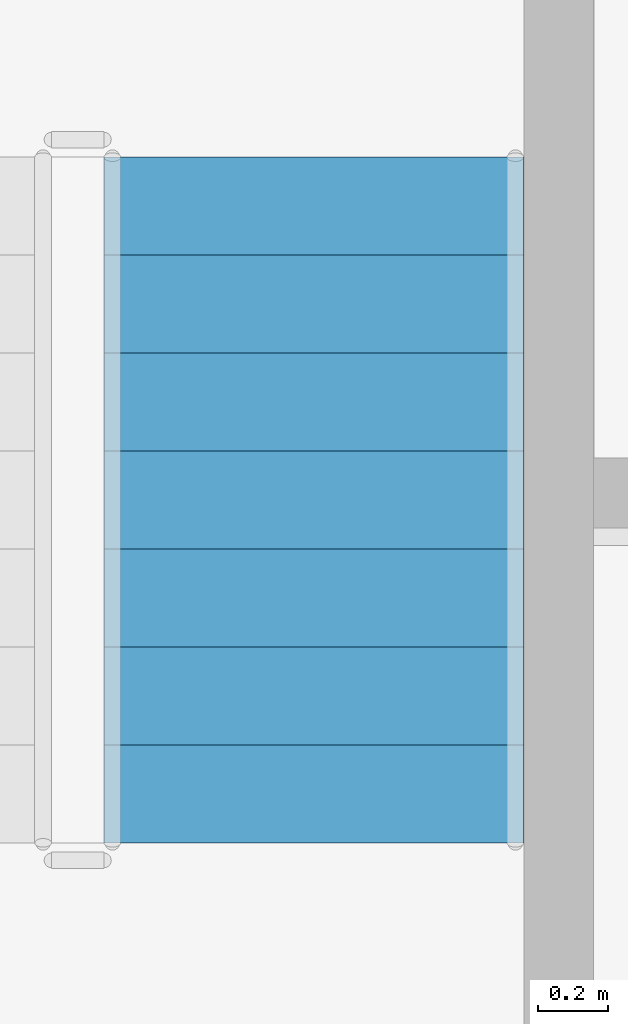
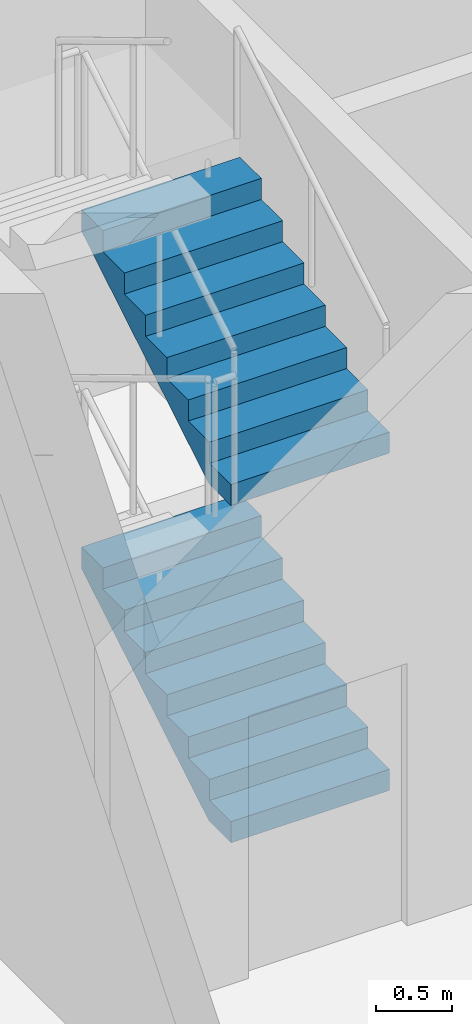
# One storey, part 56 of 101: 2 stair flights, 1 element without a shape of its own.
"""IFC4 building model written with IfcOpenShell, lengths in metres."""

from ifc_helpers import new_model, si_unit, direction, frame, origin, place, context, subcontext, project, spatial, triangles, material, type_object, element, aggregate, save


model = new_model("IFC4")

# Units and contexts
model_context = context("Model", 3, precision=1e-05, world=origin(), true_north=direction((0.0, 1.0)))
body_context = subcontext(model_context, "Body", "Model", "MODEL_VIEW")
ifc_project = project(units=[si_unit("LENGTHUNIT", "METRE"), si_unit("AREAUNIT", "SQUARE_METRE"), si_unit("VOLUMEUNIT", "CUBIC_METRE"), si_unit("PLANEANGLEUNIT", "RADIAN"), si_unit("MASSUNIT", "GRAM", prefix="KILO")], contexts=[model_context])

# Site, building, storey
site_placement = place(None, origin())
site = spatial("IfcSite", under=ifc_project, at=site_placement, CompositionType="ELEMENT")
building_placement = place(site_placement, origin())
building = spatial("IfcBuilding", under=site, at=building_placement, Name="Magnolia Steps Interchange", CompositionType="ELEMENT")
storey_placement = place(building_placement, frame((0.0, 0.0, -5.39990234375)))
storey = spatial("IfcBuildingStorey", under=building, at=storey_placement, Name="B1", CompositionType="ELEMENT", Elevation=-5.39990234375)

# Stair, stair flights
ifc_material_1 = material(Name="Concrete C40", Category="concrete")
stair_type = type_object("IfcStairType", Name="Exit stair 1200", PredefinedType="HALF_TURN_STAIR", material=ifc_material_1)
stair_placement = place(storey_placement, origin())
stair = element("IfcStair", 1, at=stair_placement, inside=storey, type_object=stair_type, Name="B1 Stair 21", PredefinedType="HALF_TURN_STAIR")
ifc_material_2 = material(Name="Concrete C40", Category="concrete")
stair_flight_type = type_object("IfcStairFlightType", Name="Exit stair flight", PredefinedType="STRAIGHT", material=ifc_material_2)
stair_flight_1_placement = place(storey_placement, frame((131.25, 38.699951171875, 0.0), z_axis=(0.0, 0.0, 1.0), x_axis=(0.0, 1.0, 0.0)))
stair_flight_1 = element("IfcStairFlight", 2, at=stair_flight_1_placement, type_object=stair_flight_type, Name="Stair 21 flight 1", NumberOfRisers=8, NumberOfTreads=7, PredefinedType="STRAIGHT", RiserHeight=0.16875, TreadLength=0.28, context=body_context, shape_type="Tessellation", body=[
    triangles([(0.0, -0.5999755859375, 0.0), (0.29052734375, -0.5999755859375, 0.0), (1.9599609375, -0.5999755859375, 1.00634765625), (1.9599609375, -0.5999755859375, 1.18115234375), (1.679931640625, -0.5999755859375, 1.18115234375), (1.679931640625, -0.5999755859375, 1.012451171875), (1.39990234375, -0.5999755859375, 1.012451171875), (1.39990234375, -0.5999755859375, 0.84375), (1.1201171875, -0.5999755859375, 0.84375), (1.1201171875, -0.5999755859375, 0.675048828125), (0.840087890625, -0.5999755859375, 0.675048828125), (0.840087890625, -0.5999755859375, 0.50634765625), (0.56005859375, -0.5999755859375, 0.50634765625), (0.56005859375, -0.5999755859375, 0.33740234375), (0.280029296875, -0.5999755859375, 0.33740234375), (0.280029296875, -0.5999755859375, 0.168701171875), (0.0, -0.5999755859375, 0.168701171875), (0.0, 0.5999755859375, 0.0), (0.29052734375, 0.5999755859375, 0.0), (1.9599609375, 0.5999755859375, 1.00634765625), (1.9599609375, 0.5999755859375, 1.18115234375), (1.679931640625, 0.5999755859375, 1.18115234375), (1.679931640625, 0.5999755859375, 1.012451171875), (1.39990234375, 0.5999755859375, 1.012451171875), (1.39990234375, 0.5999755859375, 0.84375), (1.1201171875, 0.5999755859375, 0.84375), (1.1201171875, 0.5999755859375, 0.675048828125), (0.840087890625, 0.5999755859375, 0.675048828125), (0.840087890625, 0.5999755859375, 0.50634765625), (0.56005859375, 0.5999755859375, 0.50634765625), (0.56005859375, 0.5999755859375, 0.33740234375), (0.280029296875, 0.5999755859375, 0.33740234375), (0.280029296875, 0.5999755859375, 0.168701171875), (0.0, 0.5999755859375, 0.168701171875), (0.0, 0.0, 0.0), (0.0, 0.0, 0.04217529296875), (0.0, 0.0, 0.0843505859375), (0.0, 0.0, 0.12652587890625), (0.0, 0.0, 0.168701171875), (0.0, -0.05, 0.0), (0.0, -0.05, 0.168701171875), (0.0, 0.05, 0.0), (0.0, 0.05, 0.168701171875), (0.046671549479166664, 0.0, 0.168701171875), (0.09334309895833333, 0.0, 0.168701171875), (0.1400146484375, 0.0, 0.168701171875), (0.18668619791666666, 0.0, 0.168701171875), (0.23335774739583334, 0.0, 0.168701171875), (0.280029296875, 0.0, 0.168701171875), (0.280029296875, -0.05, 0.168701171875), (0.280029296875, 0.05, 0.168701171875), (0.280029296875, 0.0, 0.21087646484375), (0.280029296875, 0.0, 0.2530517578125), (0.280029296875, 0.0, 0.29522705078125), (0.280029296875, 0.0, 0.33740234375), (0.280029296875, -0.05, 0.33740234375), (0.280029296875, 0.05, 0.33740234375), (0.3267008463541667, 0.0, 0.33740234375), (0.3733723958333333, 0.0, 0.33740234375), (0.4200439453125, 0.0, 0.33740234375), (0.46671549479166663, 0.0, 0.33740234375), (0.5133870442708334, 0.0, 0.33740234375), (0.56005859375, 0.0, 0.33740234375), (0.56005859375, -0.05, 0.33740234375), (0.56005859375, 0.05, 0.33740234375), (0.56005859375, 0.0, 0.379638671875), (0.56005859375, 0.0, 0.421875), (0.56005859375, 0.0, 0.464111328125), (0.56005859375, 0.0, 0.50634765625), (0.56005859375, -0.05, 0.50634765625), (0.56005859375, 0.05, 0.50634765625), (0.6067301432291666, 0.0, 0.50634765625), (0.6534016927083334, 0.0, 0.50634765625), (0.7000732421875, 0.0, 0.50634765625), (0.7467447916666666, 0.0, 0.50634765625), (0.7934163411458334, 0.0, 0.50634765625), (0.840087890625, 0.0, 0.50634765625), (0.840087890625, -0.05, 0.50634765625), (0.840087890625, 0.05, 0.50634765625), (0.840087890625, 0.0, 0.54852294921875), (0.840087890625, 0.0, 0.5906982421875), (0.840087890625, 0.0, 0.63287353515625), (0.840087890625, 0.0, 0.675048828125), (0.840087890625, -0.05, 0.675048828125), (0.840087890625, 0.05, 0.675048828125), (0.8867594401041666, 0.0, 0.675048828125), (0.9334309895833334, 0.0, 0.675048828125), (0.9801025390625, 0.0, 0.675048828125), (1.0267740885416667, 0.0, 0.675048828125), (1.0734456380208333, 0.0, 0.675048828125), (1.1201171875, 0.0, 0.675048828125), (1.1201171875, -0.05, 0.675048828125), (1.1201171875, 0.05, 0.675048828125), (1.1201171875, 0.0, 0.71722412109375), (1.1201171875, 0.0, 0.7593994140625), (1.1201171875, 0.0, 0.80157470703125), (1.1201171875, 0.0, 0.84375), (1.1201171875, -0.05, 0.84375), (1.1201171875, 0.05, 0.84375), (1.1900634765625, 0.0, 0.84375), (1.260009765625, 0.0, 0.84375), (1.3299560546875, 0.0, 0.84375), (1.39990234375, 0.0, 0.84375), (1.39990234375, -0.05, 0.84375), (1.39990234375, 0.05, 0.84375), (1.39990234375, 0.0, 0.88592529296875), (1.39990234375, 0.0, 0.9281005859375), (1.39990234375, 0.0, 0.97027587890625), (1.39990234375, 0.0, 1.012451171875), (1.39990234375, -0.05, 1.012451171875), (1.39990234375, 0.05, 1.012451171875), (1.4465738932291667, 0.0, 1.012451171875), (1.4932454427083333, 0.0, 1.012451171875), (1.5399169921875, 0.0, 1.012451171875), (1.5865885416666667, 0.0, 1.012451171875), (1.6332600911458333, 0.0, 1.012451171875), (1.679931640625, 0.0, 1.012451171875), (1.679931640625, -0.05, 1.012451171875), (1.679931640625, 0.05, 1.012451171875), (1.679931640625, 0.0, 1.05462646484375), (1.679931640625, 0.0, 1.0968017578125), (1.679931640625, 0.0, 1.13897705078125), (1.679931640625, 0.0, 1.18115234375), (1.679931640625, -0.05, 1.18115234375), (1.679931640625, 0.05, 1.18115234375), (1.7266031901041667, 0.0, 1.18115234375), (1.7732747395833333, 0.0, 1.18115234375), (1.8199462890625, 0.0, 1.18115234375), (1.8666178385416667, 0.0, 1.18115234375), (1.9132893880208333, 0.0, 1.18115234375), (1.9599609375, 0.0, 1.18115234375), (1.9599609375, -0.05, 1.18115234375), (1.9599609375, 0.05, 1.18115234375), (1.9599609375, 0.0, 1.137451171875), (1.9599609375, 0.0, 1.09375), (1.9599609375, 0.0, 1.050048828125), (1.9599609375, 0.0, 1.00634765625), (1.9599609375, -0.05, 1.00634765625), (1.9599609375, 0.05, 1.00634765625), (1.9003383091517858, 0.0, 0.9704066685267857), (1.8407156808035714, 0.0, 0.9344656808035714), (1.7810930524553572, 0.0, 0.8985246930803571), (1.7214704241071428, 0.0, 0.8625837053571428), (1.6618477957589286, 0.0, 0.8266427176339286), (1.6022251674107144, 0.0, 0.7907017299107143), (1.5426025390625, 0.0, 0.7547607421875), (1.4829799107142856, 0.0, 0.7188197544642857), (1.4233572823660714, 0.0, 0.6828787667410714), (1.3637346540178572, 0.0, 0.6469377790178572), (1.3041120256696428, 0.0, 0.6109967912946428), (1.2444893973214286, 0.0, 0.5750558035714286), (1.1848667689732144, 0.0, 0.5391148158482143), (1.125244140625, 0.0, 0.503173828125), (1.0656215122767856, 0.0, 0.4672328404017857), (1.0059988839285714, 0.0, 0.4312918526785714), (0.9463762555803572, 0.0, 0.3953508649553571), (0.8867536272321428, 0.0, 0.3594098772321429), (0.8271309988839286, 0.0, 0.3234688895089286), (0.7675083705357142, 0.0, 0.2875279017857143), (0.7078857421875, 0.0, 0.2515869140625), (0.6482631138392858, 0.0, 0.2156459263392857), (0.5886404854910714, 0.0, 0.1797049386160714), (0.5290178571428572, 0.0, 0.1437639508928571), (0.4693952287946428, 0.0, 0.1078229631696429), (0.4097726004464286, 0.0, 0.0718819754464286), (0.3501499720982142, 0.0, 0.0359409877232143), (0.29052734375, 0.0, 0.0), (0.29052734375, -0.05, 0.0), (0.29052734375, 0.05, 0.0), (0.24210611979166666, 0.0, 0.0), (0.19368489583333331, 0.0, 0.0), (0.145263671875, 0.0, 0.0), (0.09684244791666666, 0.0, 0.0), (0.04842122395833334, 0.0, 0.0)], [[1, 2, 3], [3, 4, 5], [3, 5, 6], [3, 6, 7], [3, 7, 8], [8, 9, 10], [3, 8, 10], [10, 11, 12], [3, 10, 12], [12, 13, 14], [3, 12, 14], [14, 15, 16], [3, 14, 16], [1, 3, 16], [16, 17, 1], [18, 20, 19], [20, 22, 21], [20, 23, 22], [20, 24, 23], [20, 25, 24], [25, 27, 26], [20, 27, 25], [27, 29, 28], [20, 29, 27], [29, 31, 30], [20, 31, 29], [31, 33, 32], [20, 33, 31], [18, 33, 20], [33, 18, 34], [1, 17, 41], [1, 41, 40], [40, 36, 35], [40, 37, 36], [40, 41, 37], [41, 38, 37], [41, 39, 38], [18, 43, 34], [18, 42, 43], [42, 35, 36], [42, 36, 37], [42, 37, 43], [43, 37, 38], [43, 38, 39], [17, 16, 50], [17, 50, 41], [41, 44, 39], [41, 45, 44], [41, 46, 45], [41, 50, 46], [50, 47, 46], [50, 48, 47], [50, 49, 48], [34, 51, 33], [34, 43, 51], [43, 39, 44], [43, 44, 45], [43, 45, 46], [43, 46, 51], [51, 46, 47], [51, 47, 48], [51, 48, 49], [16, 15, 56], [16, 56, 50], [50, 52, 49], [50, 53, 52], [50, 56, 53], [56, 54, 53], [56, 55, 54], [33, 57, 32], [33, 51, 57], [51, 49, 52], [51, 52, 53], [51, 53, 57], [57, 53, 54], [57, 54, 55], [15, 14, 64], [15, 64, 56], [56, 58, 55], [56, 59, 58], [56, 60, 59], [56, 64, 60], [64, 61, 60], [64, 62, 61], [64, 63, 62], [32, 65, 31], [32, 57, 65], [57, 55, 58], [57, 58, 59], [57, 59, 60], [57, 60, 65], [65, 60, 61], [65, 61, 62], [65, 62, 63], [14, 13, 70], [14, 70, 64], [64, 66, 63], [64, 67, 66], [64, 70, 67], [70, 68, 67], [70, 69, 68], [31, 71, 30], [31, 65, 71], [65, 63, 66], [65, 66, 67], [65, 67, 71], [71, 67, 68], [71, 68, 69], [13, 12, 78], [13, 78, 70], [70, 72, 69], [70, 73, 72], [70, 74, 73], [70, 78, 74], [78, 75, 74], [78, 76, 75], [78, 77, 76], [30, 79, 29], [30, 71, 79], [71, 69, 72], [71, 72, 73], [71, 73, 74], [71, 74, 79], [79, 74, 75], [79, 75, 76], [79, 76, 77], [12, 11, 84], [12, 84, 78], [78, 80, 77], [78, 81, 80], [78, 84, 81], [84, 82, 81], [84, 83, 82], [29, 85, 28], [29, 79, 85], [79, 77, 80], [79, 80, 81], [79, 81, 85], [85, 81, 82], [85, 82, 83], [11, 10, 92], [11, 92, 84], [84, 86, 83], [84, 87, 86], [84, 88, 87], [84, 92, 88], [92, 89, 88], [92, 90, 89], [92, 91, 90], [28, 93, 27], [28, 85, 93], [85, 83, 86], [85, 86, 87], [85, 87, 88], [85, 88, 93], [93, 88, 89], [93, 89, 90], [93, 90, 91], [10, 9, 98], [10, 98, 92], [92, 94, 91], [92, 95, 94], [92, 98, 95], [98, 96, 95], [98, 97, 96], [27, 99, 26], [27, 93, 99], [93, 91, 94], [93, 94, 95], [93, 95, 99], [99, 95, 96], [99, 96, 97], [9, 8, 104], [9, 104, 98], [98, 100, 97], [98, 101, 100], [98, 104, 101], [104, 102, 101], [104, 103, 102], [26, 105, 25], [26, 99, 105], [99, 97, 100], [99, 100, 101], [99, 101, 105], [105, 101, 102], [105, 102, 103], [8, 7, 110], [8, 110, 104], [104, 106, 103], [104, 107, 106], [104, 110, 107], [110, 108, 107], [110, 109, 108], [25, 111, 24], [25, 105, 111], [105, 103, 106], [105, 106, 107], [105, 107, 111], [111, 107, 108], [111, 108, 109], [7, 6, 118], [7, 118, 110], [110, 112, 109], [110, 113, 112], [110, 114, 113], [110, 118, 114], [118, 115, 114], [118, 116, 115], [118, 117, 116], [24, 119, 23], [24, 111, 119], [111, 109, 112], [111, 112, 113], [111, 113, 114], [111, 114, 119], [119, 114, 115], [119, 115, 116], [119, 116, 117], [6, 5, 124], [6, 124, 118], [118, 120, 117], [118, 121, 120], [118, 124, 121], [124, 122, 121], [124, 123, 122], [23, 125, 22], [23, 119, 125], [119, 117, 120], [119, 120, 121], [119, 121, 125], [125, 121, 122], [125, 122, 123], [5, 4, 132], [5, 132, 124], [124, 126, 123], [124, 127, 126], [124, 128, 127], [124, 132, 128], [132, 129, 128], [132, 130, 129], [132, 131, 130], [22, 133, 21], [22, 125, 133], [125, 123, 126], [125, 126, 127], [125, 127, 128], [125, 128, 133], [133, 128, 129], [133, 129, 130], [133, 130, 131], [4, 3, 138], [4, 138, 132], [132, 134, 131], [132, 135, 134], [132, 138, 135], [138, 136, 135], [138, 137, 136], [21, 139, 20], [21, 133, 139], [133, 131, 134], [133, 134, 135], [133, 135, 139], [139, 135, 136], [139, 136, 137], [3, 2, 168], [3, 168, 138], [138, 140, 137], [138, 141, 140], [138, 142, 141], [138, 143, 142], [138, 144, 143], [138, 145, 144], [138, 146, 145], [138, 147, 146], [138, 148, 147], [138, 149, 148], [138, 150, 149], [138, 151, 150], [138, 152, 151], [138, 153, 152], [138, 168, 153], [168, 154, 153], [168, 155, 154], [168, 156, 155], [168, 157, 156], [168, 158, 157], [168, 159, 158], [168, 160, 159], [168, 161, 160], [168, 162, 161], [168, 163, 162], [168, 164, 163], [168, 165, 164], [168, 166, 165], [168, 167, 166], [20, 169, 19], [20, 139, 169], [139, 137, 140], [139, 140, 141], [139, 141, 142], [139, 142, 143], [139, 143, 144], [139, 144, 145], [139, 145, 146], [139, 146, 147], [139, 147, 148], [139, 148, 149], [139, 149, 150], [139, 150, 151], [139, 151, 152], [139, 152, 153], [139, 153, 169], [169, 153, 154], [169, 154, 155], [169, 155, 156], [169, 156, 157], [169, 157, 158], [169, 158, 159], [169, 159, 160], [169, 160, 161], [169, 161, 162], [169, 162, 163], [169, 163, 164], [169, 164, 165], [169, 165, 166], [169, 166, 167], [2, 1, 40], [2, 40, 168], [168, 170, 167], [168, 171, 170], [168, 172, 171], [168, 40, 172], [40, 173, 172], [40, 174, 173], [40, 35, 174], [19, 42, 18], [19, 169, 42], [169, 167, 170], [169, 170, 171], [169, 171, 172], [169, 172, 42], [42, 172, 173], [42, 173, 174], [42, 174, 35]], closed=True),
])
stair_flight_2_placement = place(storey_placement, frame((131.25, 38.699951171875, 2.699951171875), z_axis=(0.0, 0.0, 1.0), x_axis=(0.0, 1.0, 0.0)))
stair_flight_2 = element("IfcStairFlight", 3, at=stair_flight_2_placement, type_object=stair_flight_type, Name="Stair 21 flight 3", NumberOfRisers=8, NumberOfTreads=7, PredefinedType="STRAIGHT", RiserHeight=0.16875, TreadLength=0.28, context=body_context, shape_type="Tessellation", body=[
    triangles([(0.0, -0.5999755859375, 0.0), (0.29052734375, -0.5999755859375, 0.0), (1.9599609375, -0.5999755859375, 1.00634765625), (1.9599609375, -0.5999755859375, 1.18115234375), (1.679931640625, -0.5999755859375, 1.18115234375), (1.679931640625, -0.5999755859375, 1.012451171875), (1.39990234375, -0.5999755859375, 1.012451171875), (1.39990234375, -0.5999755859375, 0.84375), (1.1201171875, -0.5999755859375, 0.84375), (1.1201171875, -0.5999755859375, 0.675048828125), (0.840087890625, -0.5999755859375, 0.675048828125), (0.840087890625, -0.5999755859375, 0.50634765625), (0.56005859375, -0.5999755859375, 0.50634765625), (0.56005859375, -0.5999755859375, 0.33740234375), (0.280029296875, -0.5999755859375, 0.33740234375), (0.280029296875, -0.5999755859375, 0.168701171875), (0.0, -0.5999755859375, 0.168701171875), (0.0, 0.5999755859375, 0.0), (0.29052734375, 0.5999755859375, 0.0), (1.9599609375, 0.5999755859375, 1.00634765625), (1.9599609375, 0.5999755859375, 1.18115234375), (1.679931640625, 0.5999755859375, 1.18115234375), (1.679931640625, 0.5999755859375, 1.012451171875), (1.39990234375, 0.5999755859375, 1.012451171875), (1.39990234375, 0.5999755859375, 0.84375), (1.1201171875, 0.5999755859375, 0.84375), (1.1201171875, 0.5999755859375, 0.675048828125), (0.840087890625, 0.5999755859375, 0.675048828125), (0.840087890625, 0.5999755859375, 0.50634765625), (0.56005859375, 0.5999755859375, 0.50634765625), (0.56005859375, 0.5999755859375, 0.33740234375), (0.280029296875, 0.5999755859375, 0.33740234375), (0.280029296875, 0.5999755859375, 0.168701171875), (0.0, 0.5999755859375, 0.168701171875), (0.0, 0.0, 0.0), (0.0, 0.0, 0.04217529296875), (0.0, 0.0, 0.0843505859375), (0.0, 0.0, 0.12652587890625), (0.0, 0.0, 0.168701171875), (0.0, -0.05, 0.0), (0.0, -0.05, 0.168701171875), (0.0, 0.05, 0.0), (0.0, 0.05, 0.168701171875), (0.046671549479166664, 0.0, 0.168701171875), (0.09334309895833333, 0.0, 0.168701171875), (0.1400146484375, 0.0, 0.168701171875), (0.18668619791666666, 0.0, 0.168701171875), (0.23335774739583334, 0.0, 0.168701171875), (0.280029296875, 0.0, 0.168701171875), (0.280029296875, -0.05, 0.168701171875), (0.280029296875, 0.05, 0.168701171875), (0.280029296875, 0.0, 0.21087646484375), (0.280029296875, 0.0, 0.2530517578125), (0.280029296875, 0.0, 0.29522705078125), (0.280029296875, 0.0, 0.33740234375), (0.280029296875, -0.05, 0.33740234375), (0.280029296875, 0.05, 0.33740234375), (0.3267008463541667, 0.0, 0.33740234375), (0.3733723958333333, 0.0, 0.33740234375), (0.4200439453125, 0.0, 0.33740234375), (0.46671549479166663, 0.0, 0.33740234375), (0.5133870442708334, 0.0, 0.33740234375), (0.56005859375, 0.0, 0.33740234375), (0.56005859375, -0.05, 0.33740234375), (0.56005859375, 0.05, 0.33740234375), (0.56005859375, 0.0, 0.379638671875), (0.56005859375, 0.0, 0.421875), (0.56005859375, 0.0, 0.464111328125), (0.56005859375, 0.0, 0.50634765625), (0.56005859375, -0.05, 0.50634765625), (0.56005859375, 0.05, 0.50634765625), (0.6067301432291666, 0.0, 0.50634765625), (0.6534016927083334, 0.0, 0.50634765625), (0.7000732421875, 0.0, 0.50634765625), (0.7467447916666666, 0.0, 0.50634765625), (0.7934163411458334, 0.0, 0.50634765625), (0.840087890625, 0.0, 0.50634765625), (0.840087890625, -0.05, 0.50634765625), (0.840087890625, 0.05, 0.50634765625), (0.840087890625, 0.0, 0.54852294921875), (0.840087890625, 0.0, 0.5906982421875), (0.840087890625, 0.0, 0.63287353515625), (0.840087890625, 0.0, 0.675048828125), (0.840087890625, -0.05, 0.675048828125), (0.840087890625, 0.05, 0.675048828125), (0.8867594401041666, 0.0, 0.675048828125), (0.9334309895833334, 0.0, 0.675048828125), (0.9801025390625, 0.0, 0.675048828125), (1.0267740885416667, 0.0, 0.675048828125), (1.0734456380208333, 0.0, 0.675048828125), (1.1201171875, 0.0, 0.675048828125), (1.1201171875, -0.05, 0.675048828125), (1.1201171875, 0.05, 0.675048828125), (1.1201171875, 0.0, 0.71722412109375), (1.1201171875, 0.0, 0.7593994140625), (1.1201171875, 0.0, 0.80157470703125), (1.1201171875, 0.0, 0.84375), (1.1201171875, -0.05, 0.84375), (1.1201171875, 0.05, 0.84375), (1.1900634765625, 0.0, 0.84375), (1.260009765625, 0.0, 0.84375), (1.3299560546875, 0.0, 0.84375), (1.39990234375, 0.0, 0.84375), (1.39990234375, -0.05, 0.84375), (1.39990234375, 0.05, 0.84375), (1.39990234375, 0.0, 0.88592529296875), (1.39990234375, 0.0, 0.9281005859375), (1.39990234375, 0.0, 0.97027587890625), (1.39990234375, 0.0, 1.012451171875), (1.39990234375, -0.05, 1.012451171875), (1.39990234375, 0.05, 1.012451171875), (1.4465738932291667, 0.0, 1.012451171875), (1.4932454427083333, 0.0, 1.012451171875), (1.5399169921875, 0.0, 1.012451171875), (1.5865885416666667, 0.0, 1.012451171875), (1.6332600911458333, 0.0, 1.012451171875), (1.679931640625, 0.0, 1.012451171875), (1.679931640625, -0.05, 1.012451171875), (1.679931640625, 0.05, 1.012451171875), (1.679931640625, 0.0, 1.05462646484375), (1.679931640625, 0.0, 1.0968017578125), (1.679931640625, 0.0, 1.13897705078125), (1.679931640625, 0.0, 1.18115234375), (1.679931640625, -0.05, 1.18115234375), (1.679931640625, 0.05, 1.18115234375), (1.7266031901041667, 0.0, 1.18115234375), (1.7732747395833333, 0.0, 1.18115234375), (1.8199462890625, 0.0, 1.18115234375), (1.8666178385416667, 0.0, 1.18115234375), (1.9132893880208333, 0.0, 1.18115234375), (1.9599609375, 0.0, 1.18115234375), (1.9599609375, -0.05, 1.18115234375), (1.9599609375, 0.05, 1.18115234375), (1.9599609375, 0.0, 1.137451171875), (1.9599609375, 0.0, 1.09375), (1.9599609375, 0.0, 1.050048828125), (1.9599609375, 0.0, 1.00634765625), (1.9599609375, -0.05, 1.00634765625), (1.9599609375, 0.05, 1.00634765625), (1.9003383091517858, 0.0, 0.9704066685267857), (1.8407156808035714, 0.0, 0.9344656808035714), (1.7810930524553572, 0.0, 0.8985246930803571), (1.7214704241071428, 0.0, 0.8625837053571428), (1.6618477957589286, 0.0, 0.8266427176339286), (1.6022251674107144, 0.0, 0.7907017299107143), (1.5426025390625, 0.0, 0.7547607421875), (1.4829799107142856, 0.0, 0.7188197544642857), (1.4233572823660714, 0.0, 0.6828787667410714), (1.3637346540178572, 0.0, 0.6469377790178572), (1.3041120256696428, 0.0, 0.6109967912946428), (1.2444893973214286, 0.0, 0.5750558035714286), (1.1848667689732144, 0.0, 0.5391148158482143), (1.125244140625, 0.0, 0.503173828125), (1.0656215122767856, 0.0, 0.4672328404017857), (1.0059988839285714, 0.0, 0.4312918526785714), (0.9463762555803572, 0.0, 0.3953508649553571), (0.8867536272321428, 0.0, 0.3594098772321429), (0.8271309988839286, 0.0, 0.3234688895089286), (0.7675083705357142, 0.0, 0.2875279017857143), (0.7078857421875, 0.0, 0.2515869140625), (0.6482631138392858, 0.0, 0.2156459263392857), (0.5886404854910714, 0.0, 0.1797049386160714), (0.5290178571428572, 0.0, 0.1437639508928571), (0.4693952287946428, 0.0, 0.1078229631696429), (0.4097726004464286, 0.0, 0.0718819754464286), (0.3501499720982142, 0.0, 0.0359409877232143), (0.29052734375, 0.0, 0.0), (0.29052734375, -0.05, 0.0), (0.29052734375, 0.05, 0.0), (0.24210611979166666, 0.0, 0.0), (0.19368489583333331, 0.0, 0.0), (0.145263671875, 0.0, 0.0), (0.09684244791666666, 0.0, 0.0), (0.04842122395833334, 0.0, 0.0)], [[1, 2, 3], [3, 4, 5], [3, 5, 6], [3, 6, 7], [3, 7, 8], [8, 9, 10], [3, 8, 10], [10, 11, 12], [3, 10, 12], [12, 13, 14], [3, 12, 14], [14, 15, 16], [3, 14, 16], [1, 3, 16], [16, 17, 1], [18, 20, 19], [20, 22, 21], [20, 23, 22], [20, 24, 23], [20, 25, 24], [25, 27, 26], [20, 27, 25], [27, 29, 28], [20, 29, 27], [29, 31, 30], [20, 31, 29], [31, 33, 32], [20, 33, 31], [18, 33, 20], [33, 18, 34], [1, 17, 41], [1, 41, 40], [40, 36, 35], [40, 37, 36], [40, 41, 37], [41, 38, 37], [41, 39, 38], [18, 43, 34], [18, 42, 43], [42, 35, 36], [42, 36, 37], [42, 37, 43], [43, 37, 38], [43, 38, 39], [17, 16, 50], [17, 50, 41], [41, 44, 39], [41, 45, 44], [41, 46, 45], [41, 50, 46], [50, 47, 46], [50, 48, 47], [50, 49, 48], [34, 51, 33], [34, 43, 51], [43, 39, 44], [43, 44, 45], [43, 45, 46], [43, 46, 51], [51, 46, 47], [51, 47, 48], [51, 48, 49], [16, 15, 56], [16, 56, 50], [50, 52, 49], [50, 53, 52], [50, 56, 53], [56, 54, 53], [56, 55, 54], [33, 57, 32], [33, 51, 57], [51, 49, 52], [51, 52, 53], [51, 53, 57], [57, 53, 54], [57, 54, 55], [15, 14, 64], [15, 64, 56], [56, 58, 55], [56, 59, 58], [56, 60, 59], [56, 64, 60], [64, 61, 60], [64, 62, 61], [64, 63, 62], [32, 65, 31], [32, 57, 65], [57, 55, 58], [57, 58, 59], [57, 59, 60], [57, 60, 65], [65, 60, 61], [65, 61, 62], [65, 62, 63], [14, 13, 70], [14, 70, 64], [64, 66, 63], [64, 67, 66], [64, 70, 67], [70, 68, 67], [70, 69, 68], [31, 71, 30], [31, 65, 71], [65, 63, 66], [65, 66, 67], [65, 67, 71], [71, 67, 68], [71, 68, 69], [13, 12, 78], [13, 78, 70], [70, 72, 69], [70, 73, 72], [70, 74, 73], [70, 78, 74], [78, 75, 74], [78, 76, 75], [78, 77, 76], [30, 79, 29], [30, 71, 79], [71, 69, 72], [71, 72, 73], [71, 73, 74], [71, 74, 79], [79, 74, 75], [79, 75, 76], [79, 76, 77], [12, 11, 84], [12, 84, 78], [78, 80, 77], [78, 81, 80], [78, 84, 81], [84, 82, 81], [84, 83, 82], [29, 85, 28], [29, 79, 85], [79, 77, 80], [79, 80, 81], [79, 81, 85], [85, 81, 82], [85, 82, 83], [11, 10, 92], [11, 92, 84], [84, 86, 83], [84, 87, 86], [84, 88, 87], [84, 92, 88], [92, 89, 88], [92, 90, 89], [92, 91, 90], [28, 93, 27], [28, 85, 93], [85, 83, 86], [85, 86, 87], [85, 87, 88], [85, 88, 93], [93, 88, 89], [93, 89, 90], [93, 90, 91], [10, 9, 98], [10, 98, 92], [92, 94, 91], [92, 95, 94], [92, 98, 95], [98, 96, 95], [98, 97, 96], [27, 99, 26], [27, 93, 99], [93, 91, 94], [93, 94, 95], [93, 95, 99], [99, 95, 96], [99, 96, 97], [9, 8, 104], [9, 104, 98], [98, 100, 97], [98, 101, 100], [98, 104, 101], [104, 102, 101], [104, 103, 102], [26, 105, 25], [26, 99, 105], [99, 97, 100], [99, 100, 101], [99, 101, 105], [105, 101, 102], [105, 102, 103], [8, 7, 110], [8, 110, 104], [104, 106, 103], [104, 107, 106], [104, 110, 107], [110, 108, 107], [110, 109, 108], [25, 111, 24], [25, 105, 111], [105, 103, 106], [105, 106, 107], [105, 107, 111], [111, 107, 108], [111, 108, 109], [7, 6, 118], [7, 118, 110], [110, 112, 109], [110, 113, 112], [110, 114, 113], [110, 118, 114], [118, 115, 114], [118, 116, 115], [118, 117, 116], [24, 119, 23], [24, 111, 119], [111, 109, 112], [111, 112, 113], [111, 113, 114], [111, 114, 119], [119, 114, 115], [119, 115, 116], [119, 116, 117], [6, 5, 124], [6, 124, 118], [118, 120, 117], [118, 121, 120], [118, 124, 121], [124, 122, 121], [124, 123, 122], [23, 125, 22], [23, 119, 125], [119, 117, 120], [119, 120, 121], [119, 121, 125], [125, 121, 122], [125, 122, 123], [5, 4, 132], [5, 132, 124], [124, 126, 123], [124, 127, 126], [124, 128, 127], [124, 132, 128], [132, 129, 128], [132, 130, 129], [132, 131, 130], [22, 133, 21], [22, 125, 133], [125, 123, 126], [125, 126, 127], [125, 127, 128], [125, 128, 133], [133, 128, 129], [133, 129, 130], [133, 130, 131], [4, 3, 138], [4, 138, 132], [132, 134, 131], [132, 135, 134], [132, 138, 135], [138, 136, 135], [138, 137, 136], [21, 139, 20], [21, 133, 139], [133, 131, 134], [133, 134, 135], [133, 135, 139], [139, 135, 136], [139, 136, 137], [3, 2, 168], [3, 168, 138], [138, 140, 137], [138, 141, 140], [138, 142, 141], [138, 143, 142], [138, 144, 143], [138, 145, 144], [138, 146, 145], [138, 147, 146], [138, 148, 147], [138, 149, 148], [138, 150, 149], [138, 151, 150], [138, 152, 151], [138, 153, 152], [138, 168, 153], [168, 154, 153], [168, 155, 154], [168, 156, 155], [168, 157, 156], [168, 158, 157], [168, 159, 158], [168, 160, 159], [168, 161, 160], [168, 162, 161], [168, 163, 162], [168, 164, 163], [168, 165, 164], [168, 166, 165], [168, 167, 166], [20, 169, 19], [20, 139, 169], [139, 137, 140], [139, 140, 141], [139, 141, 142], [139, 142, 143], [139, 143, 144], [139, 144, 145], [139, 145, 146], [139, 146, 147], [139, 147, 148], [139, 148, 149], [139, 149, 150], [139, 150, 151], [139, 151, 152], [139, 152, 153], [139, 153, 169], [169, 153, 154], [169, 154, 155], [169, 155, 156], [169, 156, 157], [169, 157, 158], [169, 158, 159], [169, 159, 160], [169, 160, 161], [169, 161, 162], [169, 162, 163], [169, 163, 164], [169, 164, 165], [169, 165, 166], [169, 166, 167], [2, 1, 40], [2, 40, 168], [168, 170, 167], [168, 171, 170], [168, 172, 171], [168, 40, 172], [40, 173, 172], [40, 174, 173], [40, 35, 174], [19, 42, 18], [19, 169, 42], [169, 167, 170], [169, 170, 171], [169, 171, 172], [169, 172, 42], [42, 172, 173], [42, 173, 174], [42, 174, 35]], closed=True),
])
aggregate(stair, [stair_flight_1, stair_flight_2])

save(model, "model.ifc")
